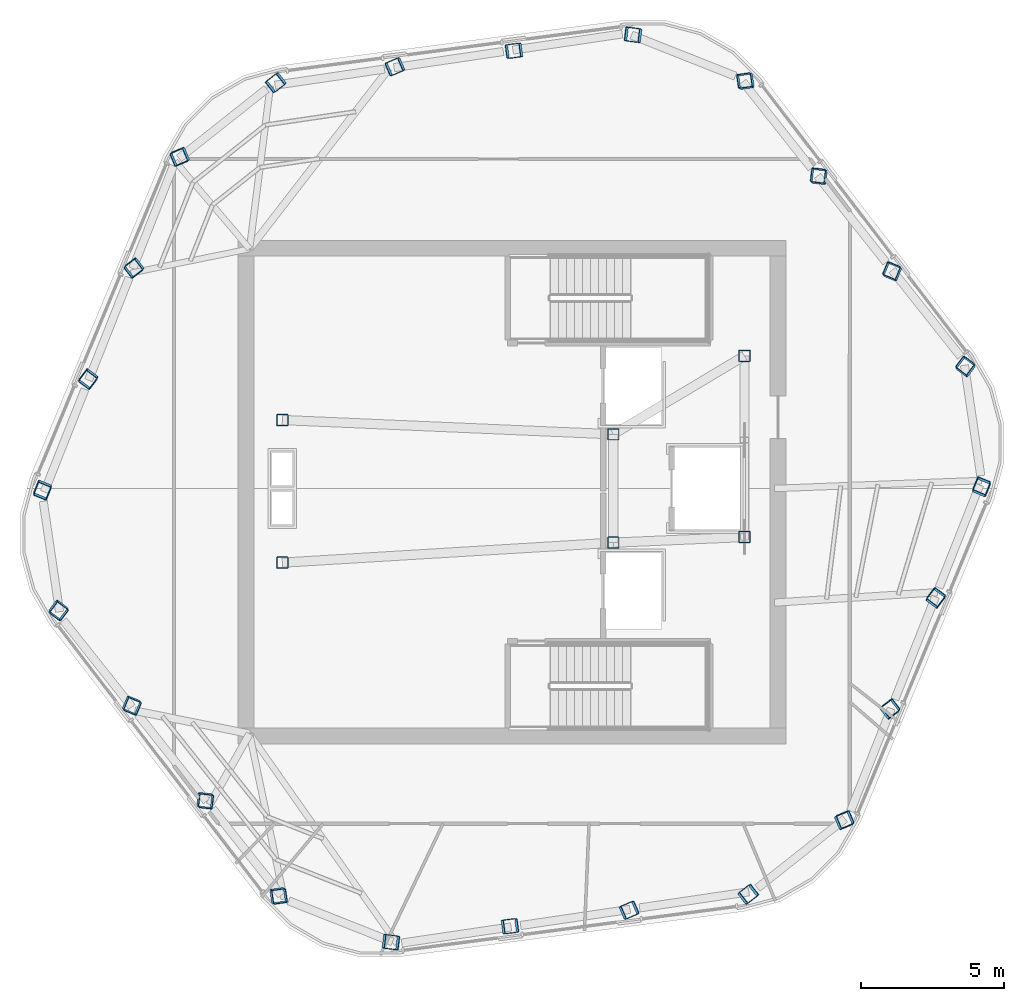
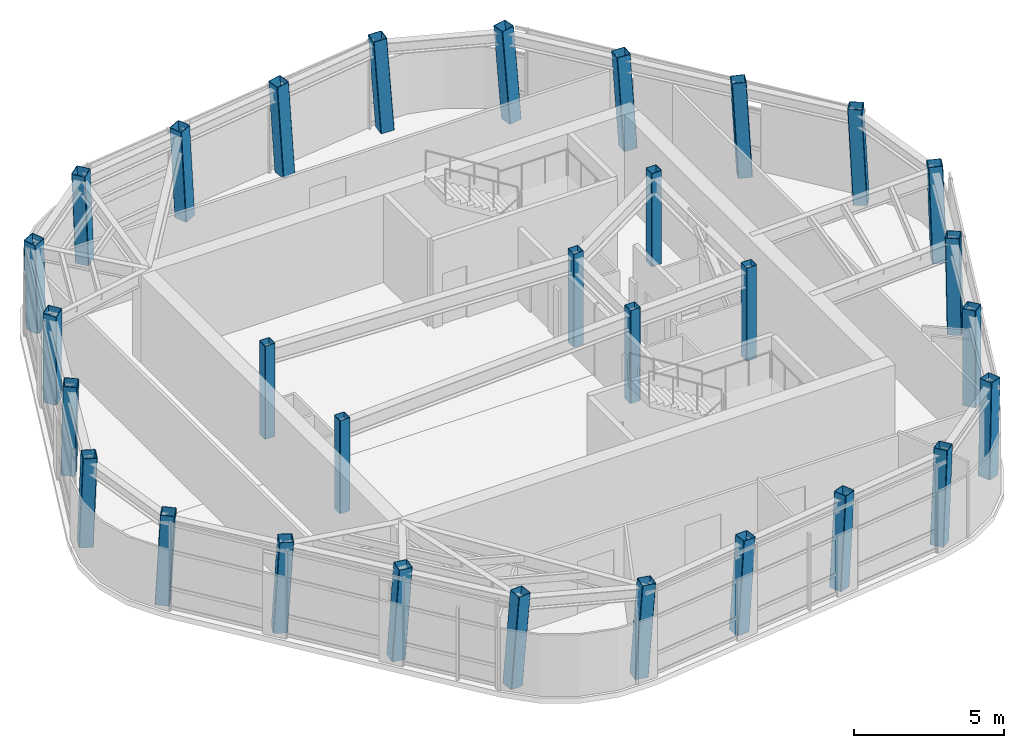
# One storey, part 1 of 9: 30 columns.
"""IFC4 building model written with IfcOpenShell, lengths in metres."""

from ifc_helpers import new_model, si_unit, direction, frame, origin, origin_2d, place, context, subcontext, project, spatial, hollow_rectangle, extrude, material, material_profile, profile_set, type_object, element, save


model = new_model("IFC4")

# Units and contexts
model_context = context("Model", 3, precision=1e-05, world=origin(), true_north=direction((0.0, 1.0)))
body_context = subcontext(model_context, "Body", "Model", "MODEL_VIEW")
ifc_project = project(units=[si_unit("LENGTHUNIT", "METRE"), si_unit("AREAUNIT", "SQUARE_METRE"), si_unit("VOLUMEUNIT", "CUBIC_METRE"), si_unit("PLANEANGLEUNIT", "RADIAN"), si_unit("MASSUNIT", "GRAM", prefix="KILO")], contexts=[model_context])

# Site, building, storey
site_placement = place(None, origin())
site = spatial("IfcSite", under=ifc_project, at=site_placement, CompositionType="ELEMENT")
building_placement = place(site_placement, origin())
building = spatial("IfcBuilding", under=site, at=building_placement, Name="Valkerne Bourse Tower", CompositionType="ELEMENT")
storey_placement = place(building_placement, frame((0.0, 0.0, 315.39990234375)))
storey = spatial("IfcBuildingStorey", under=building, at=storey_placement, Name="L80", CompositionType="ELEMENT", Elevation=315.39990234375)

# Columns
ifc_material = material(Name="Steel ASTM A500 Grade C", Category="steel")
ifc_material_profile_1 = material_profile(ifc_material, hollow_rectangle(XDim=0.39990234375, YDim=0.39990234375, WallThickness=0.01611328125, OuterFilletRadius=0.031982421875, at=origin_2d()), Name="HSS400X400X16")
ifc_profile_set_1 = profile_set([ifc_material_profile_1], Name="Steel ASTM A500 Grade C")
column_type_1 = type_object("IfcColumnType", Name="COL-HSS400X400X16", PredefinedType="COLUMN", material=ifc_profile_set_1)
for number, where, z_axis, x_axis, name in (
    (1, (38.75, 24.39990234375, 0.005126953125), (0.0, 0.0, 1.0), (1.0, 0.0, 0.0), "L80 Core Frame Column CC-SW"),
    (2, (38.75, 29.39990234375, 0.005126953125), (0.0, 0.0, 1.0), (1.0, 0.0, 0.0), "L80 Core Frame Column CC-NW"),
    (3, (50.35009765625, 25.10009765625, 0.005126953125), (0.0, 0.0, 1.0), (1.0, 0.0, 0.0), "L80 Core Frame Column CC-CE1"),
    (4, (50.35009765625, 28.89990234375, 0.005126953125), (0.0, 0.0, 1.0), (1.0, 0.0, 0.0), "L80 Core Frame Column CC-CE2"),
    (5, (54.949951171875, 25.300048828125, 0.005126953125), (0.0, 0.0, 1.0), (1.0, 0.0, 0.0), "L80 Core Frame Column CC-SE"),
    (6, (54.949951171875, 31.64990234375, 0.005126953125), (0.0, 0.0, 1.0), (1.0, 0.0, 0.0), "L80 Core Frame Column CC-NE"),
):
    element("IfcColumn", number, at=place(storey_placement, frame(where, z_axis=z_axis, x_axis=x_axis)), inside=storey, type_object=column_type_1, Name=name, PredefinedType="COLUMN", context=body_context, shape_type="SweptSolid", body=[
        extrude(hollow_rectangle(XDim=0.39990234375, YDim=0.39990234375, WallThickness=0.01611328125, OuterFilletRadius=0.031982421875, at=origin_2d()), origin(), (0.0, 0.0, 1.0), 3.794921875),
    ])
ifc_material_profile_2 = material_profile(ifc_material, hollow_rectangle(XDim=0.5, YDim=0.5, WallThickness=0.02001953125, OuterFilletRadius=0.0400390625, at=origin_2d()), Name="HSS500X500X20")
ifc_profile_set_2 = profile_set([ifc_material_profile_2], Name="Steel ASTM A500 Grade C")
column_type_2 = type_object("IfcColumnType", Name="COL-HSS500X500X20", PredefinedType="COLUMN", material=ifc_profile_set_2)
column_1_placement = place(storey_placement, frame((51.080078125, 42.893310546875, 0.010009765625), z_axis=(-0.066030216433, 0.017264485858, 0.997668255507), x_axis=(0.124809073269, 0.99214078416, -0.008908402535)))
element("IfcColumn", 7, at=column_1_placement, inside=storey, type_object=column_type_2, Name="L80 Helical Perimeter Tube Column F1-C1", PredefinedType="COLUMN", context=body_context, shape_type="SweptSolid", body=[
    extrude(hollow_rectangle(XDim=0.5, YDim=0.5, WallThickness=0.02001953125, OuterFilletRadius=0.0400390625, at=origin_2d()), origin(), (0.0, 0.0, 1.0), 3.789794921875),
])
for number, where, z_axis, x_axis, name in (
    (8, (46.904052734375, 42.343505859375, 0.010009765625), (-0.063601838434, -6.4439553e-05, 0.997975351397), (-0.131266358579, 0.991312374943, -0.00830171005), "L80 Helical Perimeter Tube Column F1-C2"),
    (9, (42.728271484375, 41.793701171875, 0.010009765625), (-0.06121748716, -0.017334214785, 0.997973919631), (-0.395449557744, 0.91845015118, -0.008304641905), "L80 Helical Perimeter Tube Column F1-C3"),
):
    element("IfcColumn", number, at=place(storey_placement, frame(where, z_axis=z_axis, x_axis=x_axis)), inside=storey, type_object=column_type_2, Name=name, PredefinedType="COLUMN", context=body_context, shape_type="SweptSolid", body=[
        extrude(hollow_rectangle(XDim=0.5, YDim=0.5, WallThickness=0.02001953125, OuterFilletRadius=0.0400390625, at=origin_2d()), origin(), (0.0, 0.0, 1.0), 3.78857421875),
    ])
for number, where, z_axis, x_axis, name in (
    (10, (38.55224609375, 41.244140625, 0.010009765625), (-0.058750941417, -0.034657901845, 0.997670865928), (-0.615906677775, 0.78776880706, -0.008903420413), "L80 Helical Perimeter Tube Column F1-C4"),
    (11, (35.176025390625, 38.6533203125, 0.010009765625), (-0.047928463523, -0.048508243324, 0.997672197024), (-0.920050635278, -0.386700976724, -0.063001453356), "L80 Helical Perimeter Tube Column F2-C1"),
):
    element("IfcColumn", number, at=place(storey_placement, frame(where, z_axis=z_axis, x_axis=x_axis)), inside=storey, type_object=column_type_2, Name=name, PredefinedType="COLUMN", context=body_context, shape_type="SweptSolid", body=[
        extrude(hollow_rectangle(XDim=0.5, YDim=0.5, WallThickness=0.02001953125, OuterFilletRadius=0.0400390625, at=origin_2d()), origin(), (0.0, 0.0, 1.0), 3.789794921875),
    ])
for number, where, z_axis, x_axis, name in (
    (12, (33.564208984375, 34.761962890625, 0.010009765625), (-0.031768592917, -0.055160072084, 0.997972005094), (-0.791771046378, -0.607980358832, -0.058808956739), "L80 Helical Perimeter Tube Column F2-C2"),
    (13, (31.952392578125, 30.87060546875, 0.010009765625), (-0.015594363866, -0.061668620742, 0.997974847895), (-0.597041860792, -0.800054602011, -0.058767765509), "L80 Helical Perimeter Tube Column F2-C3"),
):
    element("IfcColumn", number, at=place(storey_placement, frame(where, z_axis=z_axis, x_axis=x_axis)), inside=storey, type_object=column_type_2, Name=name, PredefinedType="COLUMN", context=body_context, shape_type="SweptSolid", body=[
        extrude(hollow_rectangle(XDim=0.5, YDim=0.5, WallThickness=0.02001953125, OuterFilletRadius=0.0400390625, at=origin_2d()), origin(), (0.0, 0.0, 1.0), 3.78857421875),
    ])
for number, where, z_axis, x_axis, name in (
    (14, (30.34033203125, 26.979248046875, 0.010009765625), (0.000644198394, -0.068220609896, 0.997670052369), (-0.373963011738, -0.925299319193, -0.063030435133), "L80 Helical Perimeter Tube Column F2-C4"),
    (15, (30.89599609375, 22.760009765625, 0.010009765625), (0.018037582721, -0.065772756992, 0.997671584264), (0.796419086202, -0.602319680416, -0.054107686307), "L80 Helical Perimeter Tube Column F3-C1"),
):
    element("IfcColumn", number, at=place(storey_placement, frame(where, z_axis=z_axis, x_axis=x_axis)), inside=storey, type_object=column_type_2, Name=name, PredefinedType="COLUMN", context=body_context, shape_type="SweptSolid", body=[
        extrude(hollow_rectangle(XDim=0.5, YDim=0.5, WallThickness=0.02001953125, OuterFilletRadius=0.0400390625, at=origin_2d()), origin(), (0.0, 0.0, 1.0), 3.789794921875),
    ])
for number, where, z_axis, x_axis, name in (
    (16, (33.4599609375, 19.41845703125, 0.010009765625), (0.031897454041, -0.055095602434, 0.997971456014), (0.923530597295, -0.380184502671, -0.050507225121), "L80 Helical Perimeter Tube Column F3-C2"),
    (17, (36.024169921875, 16.076904296875, 0.010009765625), (0.045623161764, -0.044334371884, 0.997974443851), (0.992060470579, -0.115190261951, -0.050470053167), "L80 Helical Perimeter Tube Column F3-C3"),
):
    element("IfcColumn", number, at=place(storey_placement, frame(where, z_axis=z_axis, x_axis=x_axis)), inside=storey, type_object=column_type_2, Name=name, PredefinedType="COLUMN", context=body_context, shape_type="SweptSolid", body=[
        extrude(hollow_rectangle(XDim=0.5, YDim=0.5, WallThickness=0.02001953125, OuterFilletRadius=0.0400390625, at=origin_2d()), origin(), (0.0, 0.0, 1.0), 3.78857421875),
    ])
for number, where, z_axis, x_axis, name in (
    (18, (38.588134765625, 12.735107421875, 0.010009765625), (0.059395098803, -0.033562740213, 0.997670168296), (0.98858521354, 0.140605318377, -0.054124116744), "L80 Helical Perimeter Tube Column F3-C4"),
    (19, (42.52001953125, 11.106689453125, 0.010009765625), (0.06596607717, -0.017264559259, 0.997672497194), (0.125045637743, 0.992111068904, 0.008900305638), "L80 Helical Perimeter Tube Column F4-C1"),
):
    element("IfcColumn", number, at=place(storey_placement, frame(where, z_axis=z_axis, x_axis=x_axis)), inside=storey, type_object=column_type_2, Name=name, PredefinedType="COLUMN", context=body_context, shape_type="SweptSolid", body=[
        extrude(hollow_rectangle(XDim=0.5, YDim=0.5, WallThickness=0.02001953125, OuterFilletRadius=0.0400390625, at=origin_2d()), origin(), (0.0, 0.0, 1.0), 3.789794921875),
    ])
for number, where, z_axis, x_axis, name in (
    (20, (46.69580078125, 11.656494140625, 0.010009765625), (0.063666016922, 6.4439288e-05, 0.997971259174), (-0.13126480787, 0.991312510094, 0.008310087019), "L80 Helical Perimeter Tube Column F4-C2"),
    (21, (50.871826171875, 12.206298828125, 0.010009765625), (0.06121748716, 0.017334214785, 0.997973919631), (-0.395449557744, 0.91845015118, 0.008304641905), "L80 Helical Perimeter Tube Column F4-C3"),
):
    element("IfcColumn", number, at=place(storey_placement, frame(where, z_axis=z_axis, x_axis=x_axis)), inside=storey, type_object=column_type_2, Name=name, PredefinedType="COLUMN", context=body_context, shape_type="SweptSolid", body=[
        extrude(hollow_rectangle(XDim=0.5, YDim=0.5, WallThickness=0.02001953125, OuterFilletRadius=0.0400390625, at=origin_2d()), origin(), (0.0, 0.0, 1.0), 3.78857421875),
    ])
for number, where, z_axis, x_axis, name in (
    (22, (55.0478515625, 12.755859375, 0.010009765625), (0.058750941417, 0.034657901845, 0.997670865928), (-0.615906677775, 0.78776880706, 0.008903420413), "L80 Helical Perimeter Tube Column F4-C4"),
    (23, (58.424072265625, 15.3466796875, 0.010009765625), (0.047928463523, 0.048508243324, 0.997672197024), (-0.920050635278, -0.386700976724, 0.063001453356), "L80 Helical Perimeter Tube Column F5-C1"),
):
    element("IfcColumn", number, at=place(storey_placement, frame(where, z_axis=z_axis, x_axis=x_axis)), inside=storey, type_object=column_type_2, Name=name, PredefinedType="COLUMN", context=body_context, shape_type="SweptSolid", body=[
        extrude(hollow_rectangle(XDim=0.5, YDim=0.5, WallThickness=0.02001953125, OuterFilletRadius=0.0400390625, at=origin_2d()), origin(), (0.0, 0.0, 1.0), 3.789794921875),
    ])
for number, where, z_axis, x_axis, name in (
    (24, (60.035888671875, 19.238037109375, 0.010009765625), (0.031768592917, 0.055160072084, 0.997972005094), (-0.791771046378, -0.607980358832, 0.058808956739), "L80 Helical Perimeter Tube Column F5-C2"),
    (25, (61.647705078125, 23.12939453125, 0.010009765625), (0.015594363866, 0.061668620742, 0.997974847895), (-0.597041860792, -0.800054602011, 0.058767765509), "L80 Helical Perimeter Tube Column F5-C3"),
):
    element("IfcColumn", number, at=place(storey_placement, frame(where, z_axis=z_axis, x_axis=x_axis)), inside=storey, type_object=column_type_2, Name=name, PredefinedType="COLUMN", context=body_context, shape_type="SweptSolid", body=[
        extrude(hollow_rectangle(XDim=0.5, YDim=0.5, WallThickness=0.02001953125, OuterFilletRadius=0.0400390625, at=origin_2d()), origin(), (0.0, 0.0, 1.0), 3.78857421875),
    ])
for number, where, z_axis, x_axis, name in (
    (26, (63.259521484375, 27.020751953125, 0.010009765625), (-0.000644198394, 0.068220609896, 0.997670052369), (-0.373963011738, -0.925299319193, 0.063030435133), "L80 Helical Perimeter Tube Column F5-C4"),
    (27, (62.7041015625, 31.239990234375, 0.010009765625), (-0.018101981587, 0.065772680429, 0.997670422921), (0.796967041131, -0.601593247235, 0.054121162522), "L80 Helical Perimeter Tube Column F6-C1"),
):
    element("IfcColumn", number, at=place(storey_placement, frame(where, z_axis=z_axis, x_axis=x_axis)), inside=storey, type_object=column_type_2, Name=name, PredefinedType="COLUMN", context=body_context, shape_type="SweptSolid", body=[
        extrude(hollow_rectangle(XDim=0.5, YDim=0.5, WallThickness=0.02001953125, OuterFilletRadius=0.0400390625, at=origin_2d()), origin(), (0.0, 0.0, 1.0), 3.789794921875),
    ])
for number, where, z_axis, x_axis, name in (
    (28, (60.139892578125, 34.58154296875, 0.010009765625), (-0.031833080105, 0.055095715566, 0.997973505228), (0.923197853164, -0.380995168583, 0.050481733622), "L80 Helical Perimeter Tube Column F6-C2"),
    (29, (57.575927734375, 37.923095703125, 0.010009765625), (-0.045623161764, 0.044334371884, 0.997974443851), (0.992060470579, -0.115190261951, 0.050470053167), "L80 Helical Perimeter Tube Column F6-C3"),
):
    element("IfcColumn", number, at=place(storey_placement, frame(where, z_axis=z_axis, x_axis=x_axis)), inside=storey, type_object=column_type_2, Name=name, PredefinedType="COLUMN", context=body_context, shape_type="SweptSolid", body=[
        extrude(hollow_rectangle(XDim=0.5, YDim=0.5, WallThickness=0.02001953125, OuterFilletRadius=0.0400390625, at=origin_2d()), origin(), (0.0, 0.0, 1.0), 3.78857421875),
    ])
column_2_placement = place(storey_placement, frame((55.01171875, 41.264892578125, 0.010009765625), z_axis=(-0.059395098803, 0.033562740213, 0.997670168296), x_axis=(0.98858521354, 0.140605318377, 0.054124116744)))
element("IfcColumn", 30, at=column_2_placement, inside=storey, type_object=column_type_2, Name="L80 Helical Perimeter Tube Column F6-C4", PredefinedType="COLUMN", context=body_context, shape_type="SweptSolid", body=[
    extrude(hollow_rectangle(XDim=0.5, YDim=0.5, WallThickness=0.02001953125, OuterFilletRadius=0.0400390625, at=origin_2d()), origin(), (0.0, 0.0, 1.0), 3.789794921875),
])

save(model, "model.ifc")
